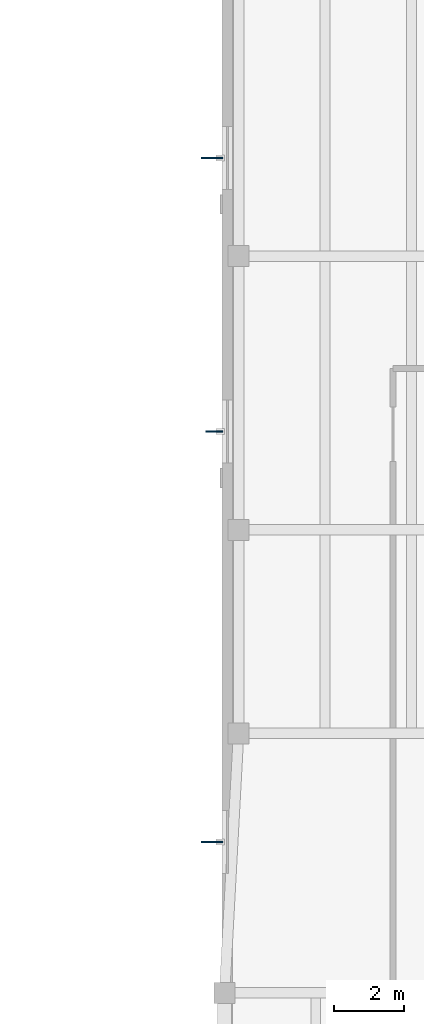
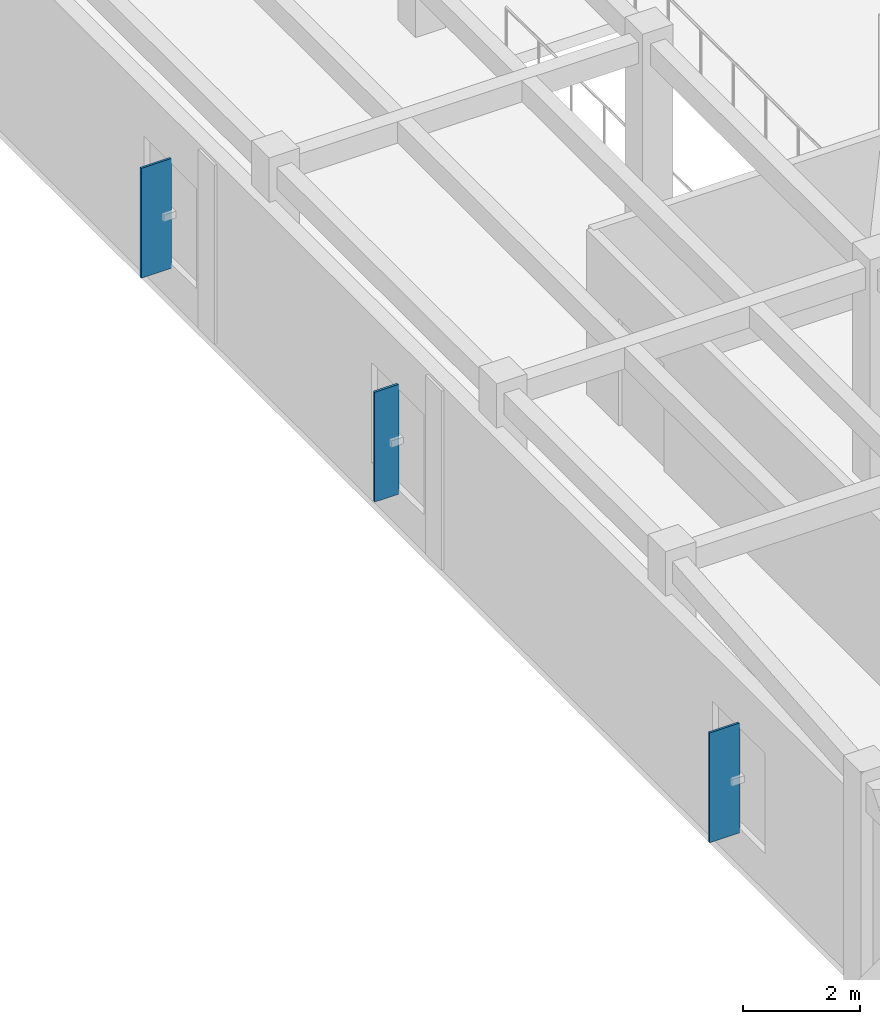
# One storey, part 50 of 69: 3 plates.
"""IFC4 building model written with IfcOpenShell, lengths in metres."""

from ifc_helpers import new_model, si_unit, direction, frame, origin, origin_2d, place, context, subcontext, project, spatial, rectangle, extrude, material, layer, layer_set, type_object, element, save


model = new_model("IFC4")

# Units and contexts
model_context = context("Model", 3, precision=1e-05, world=origin(), true_north=direction((0.0, 1.0)))
body_context = subcontext(model_context, "Body", "Model", "MODEL_VIEW")
ifc_project = project(units=[si_unit("LENGTHUNIT", "METRE"), si_unit("AREAUNIT", "SQUARE_METRE"), si_unit("VOLUMEUNIT", "CUBIC_METRE"), si_unit("PLANEANGLEUNIT", "RADIAN"), si_unit("MASSUNIT", "GRAM", prefix="KILO")], contexts=[model_context])

# Site, building, storey
site_placement = place(None, origin())
site = spatial("IfcSite", under=ifc_project, at=site_placement, CompositionType="ELEMENT")
building_placement = place(site_placement, origin())
building = spatial("IfcBuilding", under=site, at=building_placement, Name="Pelvatis Terrace Science Centre", CompositionType="ELEMENT")
storey_placement = place(building_placement, frame((0.0, 0.0, 15.0)))
storey = spatial("IfcBuildingStorey", under=building, at=storey_placement, Name="L03", CompositionType="ELEMENT", Elevation=15.0)

# Plates
ifc_material_1 = material(Name="Perforated architectural bronze brise-soleil fin", Category="aluminium")
ifc_layer_1 = layer(ifc_material_1, 3.10009765625)
ifc_layer_set_1 = layer_set([ifc_layer_1], Name="Perforated architectural bronze brise-soleil fin")
plate_type_1 = type_object("IfcPlateType", Name="PLT-FIN-W480", PredefinedType="SHEET", material=ifc_layer_set_1)
plate_placement = place(storey_placement, frame((140.1025390625, 49.60009765625, 0.68017578125), z_axis=(0.0, 0.0, 1.0), x_axis=(1.0, 0.0, 0.0)))
element("IfcPlate", 1, at=plate_placement, inside=storey, type_object=plate_type_1, Name="West bronze brise-soleil fin 117", PredefinedType="SHEET", context=body_context, shape_type="SweptSolid", body=[
    extrude(rectangle(XDim=0.47998046875, YDim=0.044921875, at=origin_2d()), origin(), (0.0, 0.0, 1.0), 2.300048828125),
])
ifc_material_2 = material(Name="Perforated architectural bronze brise-soleil fin", Category="aluminium")
ifc_layer_2 = layer(ifc_material_2, 3.39990234375)
ifc_layer_set_2 = layer_set([ifc_layer_2], Name="Perforated architectural bronze brise-soleil fin")
plate_type_2 = type_object("IfcPlateType", Name="PLT-FIN-W600", PredefinedType="SHEET", material=ifc_layer_set_2)
for number, where, z_axis, x_axis, name in (
    (2, (140.04248046875, 37.89990234375, 0.68017578125), (0.0, 0.0, 1.0), (1.0, 0.0, 0.0), "West bronze brise-soleil fin 116"),
    (3, (140.04248046875, 57.39990234375, 0.68017578125), (0.0, 0.0, 1.0), (1.0, 0.0, 0.0), "West bronze brise-soleil fin 118"),
):
    element("IfcPlate", number, at=place(storey_placement, frame(where, z_axis=z_axis, x_axis=x_axis)), inside=storey, type_object=plate_type_2, Name=name, PredefinedType="SHEET", context=body_context, shape_type="SweptSolid", body=[
        extrude(rectangle(XDim=0.60009765625, YDim=0.044921875, at=origin_2d()), origin(), (0.0, 0.0, 1.0), 2.300048828125),
    ])

save(model, "model.ifc")
